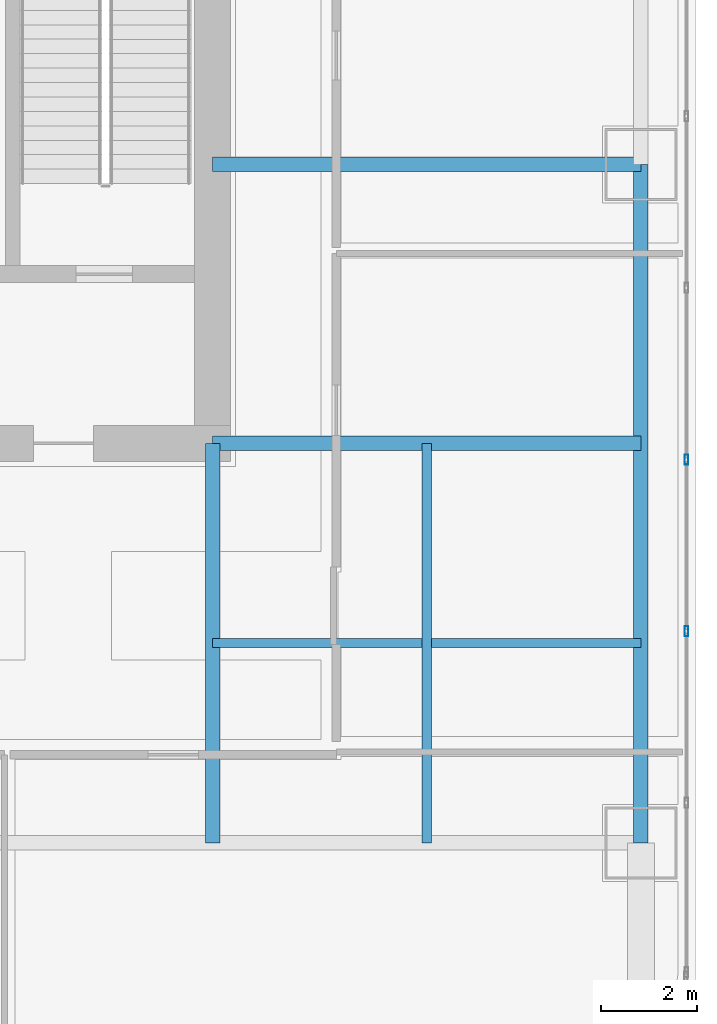
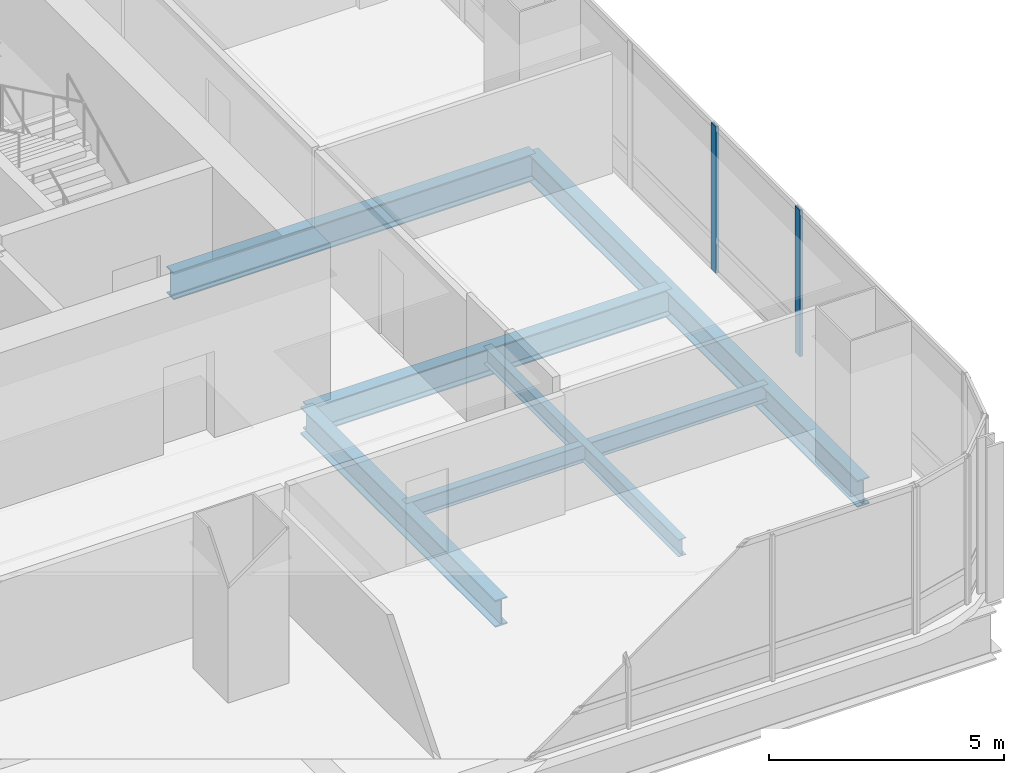
# One storey, part 14 of 35: 6 beams, 2 members, 1 element without a shape of its own.
"""IFC4 building model written with IfcOpenShell, lengths in metres."""

from ifc_helpers import new_model, si_unit, direction, frame, origin, origin_2d, place, context, subcontext, project, spatial, hollow_rectangle, i_section, extrude, material, material_profile, profile_set, type_object, element, aggregate, save


model = new_model("IFC4")

# Units and contexts
model_context = context("Model", 3, precision=1e-05, world=origin(), true_north=direction((0.0, 1.0)))
body_context = subcontext(model_context, "Body", "Model", "MODEL_VIEW")
ifc_project = project(units=[si_unit("LENGTHUNIT", "METRE"), si_unit("AREAUNIT", "SQUARE_METRE"), si_unit("VOLUMEUNIT", "CUBIC_METRE"), si_unit("PLANEANGLEUNIT", "RADIAN"), si_unit("MASSUNIT", "GRAM", prefix="KILO")], contexts=[model_context])

# Site, building, storey
site_placement = place(None, origin())
site = spatial("IfcSite", under=ifc_project, at=site_placement, CompositionType="ELEMENT")
building_placement = place(site_placement, origin())
building = spatial("IfcBuilding", under=site, at=building_placement, Name="Punatoya Terracotta Tower", CompositionType="ELEMENT")
storey_placement = place(building_placement, frame((0.0, 0.0, 52.5)))
storey = spatial("IfcBuildingStorey", under=building, at=storey_placement, Name="L11", CompositionType="ELEMENT", Elevation=52.5)

# Beams
ifc_material_1 = material(Name="Steel S355", Category="steel")
ifc_material_profile_1 = material_profile(ifc_material_1, i_section(OverallWidth=0.300048828125, OverallDepth=0.699951171875, WebThickness=0.01708984375, FlangeThickness=0.031982421875, FilletRadius=0.01806640625, at=origin_2d()))
ifc_profile_set_1 = profile_set([ifc_material_profile_1], Name="Steel S355")
beam_type_1 = type_object("IfcBeamType", Name="BM-PRI-700", PredefinedType="BEAM", material=ifc_profile_set_1)
beam_1_placement = place(storey_placement, frame((19.10009765625, -17.5, -0.590087890625), z_axis=(0.0, 1.0, 0.0), x_axis=(-1.0, 0.0, 0.0)))
element("IfcBeam", 1, at=beam_1_placement, inside=storey, type_object=beam_type_1, Name="BM-L11-RG-E1", PredefinedType="BEAM", context=body_context, shape_type="SweptSolid", body=[
    extrude(i_section(OverallWidth=0.300048828125, OverallDepth=0.699951171875, WebThickness=0.01708984375, FlangeThickness=0.031982421875, FilletRadius=0.01806640625, at=origin_2d()), origin(), (0.0, 0.0, 1.0), 14.10009765625),
])
for number, where, z_axis, x_axis, name in (
    (2, (10.199951171875, -9.199951171875, -0.590087890625), (1.0, 0.0, 0.0), (0.0, 1.0, 0.0), "BM-L11-PR-ES"),
    (3, (10.199951171875, -3.39990234375, -0.590087890625), (1.0, 0.0, 0.0), (0.0, 1.0, 0.0), "BM-L11-PR-ED"),
):
    element("IfcBeam", number, at=place(storey_placement, frame(where, z_axis=z_axis, x_axis=x_axis)), inside=storey, type_object=beam_type_1, Name=name, PredefinedType="BEAM", context=body_context, shape_type="SweptSolid", body=[
        extrude(i_section(OverallWidth=0.300048828125, OverallDepth=0.699951171875, WebThickness=0.01708984375, FlangeThickness=0.031982421875, FilletRadius=0.01806640625, at=origin_2d()), origin(), (0.0, 0.0, 1.0), 8.900146484375),
    ])
beam_2_placement = place(storey_placement, frame((10.199951171875, -17.5, -0.590087890625), z_axis=(0.0, 1.0, 0.0), x_axis=(-1.0, 0.0, 0.0)))
element("IfcBeam", 4, at=beam_2_placement, inside=storey, type_object=beam_type_1, Name="BM-L11-PR-S4", PredefinedType="BEAM", context=body_context, shape_type="SweptSolid", body=[
    extrude(i_section(OverallWidth=0.300048828125, OverallDepth=0.699951171875, WebThickness=0.01708984375, FlangeThickness=0.031982421875, FilletRadius=0.01806640625, at=origin_2d()), origin(), (0.0, 0.0, 1.0), 8.300048828125),
])
ifc_material_profile_2 = material_profile(ifc_material_1, i_section(OverallWidth=0.18994140625, OverallDepth=0.449951171875, WebThickness=0.009521484375, FlangeThickness=0.0146484375, FilletRadius=0.01806640625, at=origin_2d()))
ifc_profile_set_2 = profile_set([ifc_material_profile_2], Name="Steel S355")
beam_type_2 = type_object("IfcBeamType", Name="BM-SEC-450", PredefinedType="JOIST", material=ifc_profile_set_2)
beam_3_placement = place(storey_placement, frame((10.199951171875, -13.35009765625, -0.465087890625), z_axis=(1.0, 0.0, 0.0), x_axis=(0.0, 1.0, 0.0)))
element("IfcBeam", 5, at=beam_3_placement, inside=storey, type_object=beam_type_2, Name="BM-L11-SJS-2", PredefinedType="JOIST", context=body_context, shape_type="SweptSolid", body=[
    extrude(i_section(OverallWidth=0.18994140625, OverallDepth=0.449951171875, WebThickness=0.009521484375, FlangeThickness=0.0146484375, FilletRadius=0.01806640625, at=origin_2d()), origin(), (0.0, 0.0, 1.0), 8.900146484375),
])
beam_4_placement = place(storey_placement, frame((14.64990234375, -17.5, -0.465087890625), z_axis=(0.0, 1.0, 0.0), x_axis=(-1.0, 0.0, 0.0)))
element("IfcBeam", 6, at=beam_4_placement, inside=storey, type_object=beam_type_2, Name="BM-L11-SJE-1", PredefinedType="JOIST", context=body_context, shape_type="SweptSolid", body=[
    extrude(i_section(OverallWidth=0.18994140625, OverallDepth=0.449951171875, WebThickness=0.009521484375, FlangeThickness=0.0146484375, FilletRadius=0.01806640625, at=origin_2d()), origin(), (0.0, 0.0, 1.0), 8.300048828125),
])

# Curtain wall, members
ifc_material_2 = material(Name="Aluminium 6063-T6 + Double Low-E Glass", Category="aluminium")
curtain_wall_type = type_object("IfcCurtainWallType", Name="CW-M1", PredefinedType="NOTDEFINED", material=ifc_material_2)
curtain_wall_placement = place(storey_placement, origin())
curtain_wall = element("IfcCurtainWall", 7, at=curtain_wall_placement, inside=storey, type_object=curtain_wall_type, Name="L11 Curtain Wall CW-L11-E05-1", PredefinedType="NOTDEFINED")
ifc_material_3 = material(Name="Aluminium 6063-T6", Category="aluminium")
ifc_material_profile_3 = material_profile(ifc_material_3, hollow_rectangle(XDim=0.074951171875, YDim=0.2099609375, WallThickness=0.00439453125, at=origin_2d()))
ifc_profile_set_3 = profile_set([ifc_material_profile_3], Name="Aluminium 6063-T6")
member_type = type_object("IfcMemberType", Name="CW-MUL-M1", PredefinedType="MULLION", material=ifc_profile_set_3)
member_1_placement = place(storey_placement, frame((20.050048828125, -13.10205078125, 0.0), z_axis=(0.0, 0.0, 1.0), x_axis=(1.0, 0.0, 0.0)))
member_1 = element("IfcMember", 8, at=member_1_placement, type_object=member_type, Name="CW-L11-E05-1 Mullion 02", PredefinedType="MULLION", context=body_context, shape_type="SweptSolid", body=[
    extrude(hollow_rectangle(XDim=0.074951171875, YDim=0.2099609375, WallThickness=0.00439453125, at=origin_2d()), origin(), (0.0, 0.0, 1.0), 3.81005859375),
])
member_2_placement = place(storey_placement, frame((20.050048828125, -9.534912109375, 0.0), z_axis=(0.0, 0.0, 1.0), x_axis=(1.0, 0.0, 0.0)))
member_2 = element("IfcMember", 9, at=member_2_placement, type_object=member_type, Name="CW-L11-E05-1 Mullion 03", PredefinedType="MULLION", context=body_context, shape_type="SweptSolid", body=[
    extrude(hollow_rectangle(XDim=0.074951171875, YDim=0.2099609375, WallThickness=0.00439453125, at=origin_2d()), origin(), (0.0, 0.0, 1.0), 3.81005859375),
])
aggregate(curtain_wall, [member_1, member_2])

save(model, "model.ifc")
